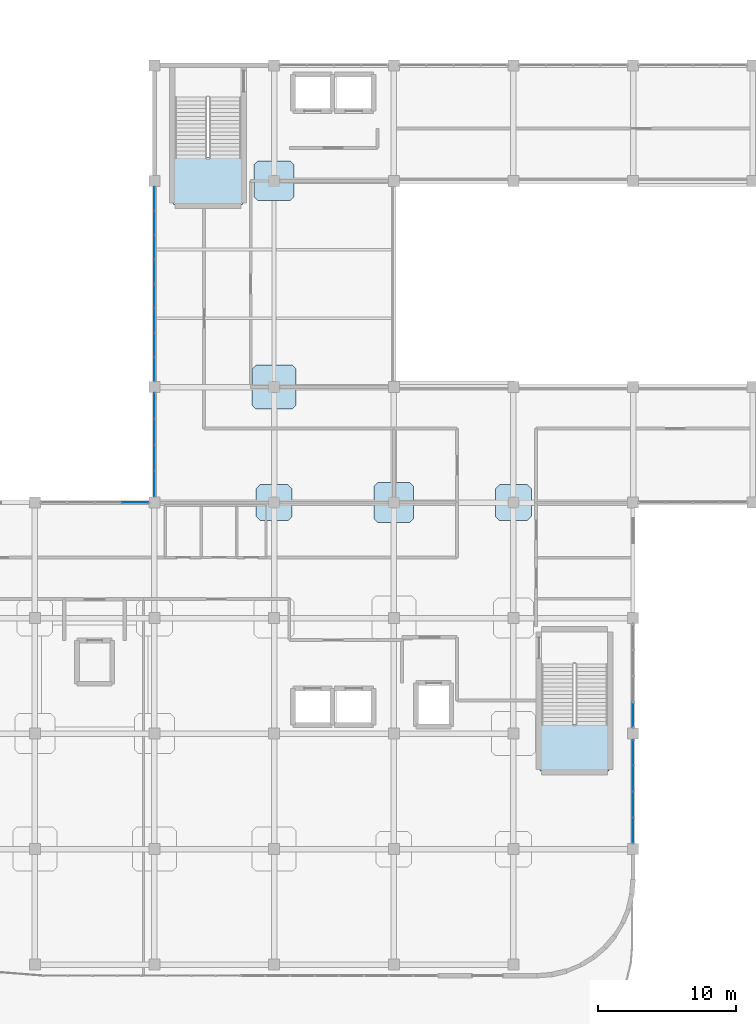
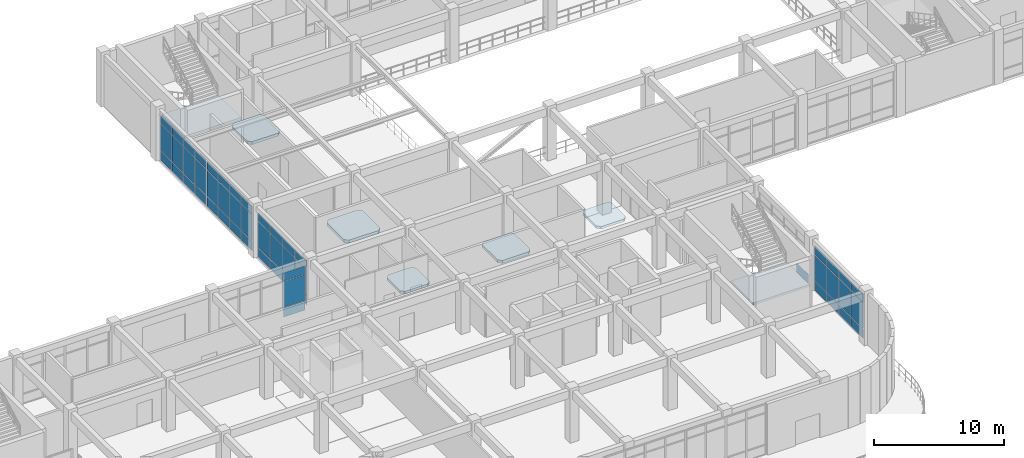
# One storey, part 70 of 96: 52 plates, 7 slabs, 8 elements without a shape of their own.
"""IFC4 building model written with IfcOpenShell, lengths in metres."""

import ifcopenshell
import ifcopenshell.guid

model = None  # the IFC model being written
_history = None  # IfcOwnerHistory: only IFC2X3 demands one
_inside = {}  # id of a spatial element -> (the spatial element, [elements in it])
_under = {}  # id of a project, library or spatial element -> (it, [spatial elements below it])
_declared = {}  # id of a project -> (the project, [libraries it declares])
_typed = {}  # id of a type object -> (the type object, [elements of that type])
_made_of = {}  # id of a material, layer set ... -> (it, [elements and type objects made of it])


def new_model(schema):
    """Start an empty IFC model of exactly this schema.

    Asked for "IFC4X3", IfcOpenShell would pick the latest addendum, in which some entities
    have other attributes; the version numbers below select the first issue.
    IFC2X3 requires an IfcOwnerHistory on every rooted entity: one is made here for all.
    """
    global model, _history
    if schema == "IFC4X3":
        model = ifcopenshell.file(schema_version=(4, 3, 0, 0))
    else:
        model = ifcopenshell.file(schema=schema)
    _inside.clear()
    _under.clear()
    _declared.clear()
    _typed.clear()
    _made_of.clear()
    _history = None
    if model.schema == "IFC2X3":
        org = make("IfcOrganization", Name="unknown")
        user = make(
            "IfcPersonAndOrganization",
            ThePerson=make("IfcPerson", FamilyName="unknown"),
            TheOrganization=org,
        )
        app = make(
            "IfcApplication",
            ApplicationDeveloper=org,
            Version="unknown",
            ApplicationFullName="unknown",
            ApplicationIdentifier="unknown",
        )
        _history = make(
            "IfcOwnerHistory",
            OwningUser=user,
            OwningApplication=app,
            ChangeAction="ADDED",
            CreationDate=0,
        )
    return model


def make(cls, **values):
    """One entity of the class cls with the attributes given. An attribute that is None is left unset."""
    return model.create_entity(
        cls, **{name: value for name, value in values.items() if value is not None}
    )


def rooted(cls, **values):
    """An entity with a GlobalId (a new one), such as an element, a storey or a relation."""
    return make(cls, GlobalId=ifcopenshell.guid.new(), OwnerHistory=_history, **values)


def si_unit(unit_type, name, prefix=None):
    """IfcSIUnit, for example si_unit("LENGTHUNIT", "METRE", prefix="MILLI")."""
    return make("IfcSIUnit", UnitType=unit_type, Prefix=prefix, Name=name)


def derived_unit(unit_type, elements):
    """IfcDerivedUnit: a product of units, each with its exponent."""
    return make(
        "IfcDerivedUnit",
        Elements=[
            make("IfcDerivedUnitElement", Unit=unit, Exponent=power)
            for unit, power in elements
        ],
        UnitType=unit_type,
    )


def assignment(units):
    """IfcUnitAssignment: the units of a project."""
    return None if units is None else make("IfcUnitAssignment", Units=units)


def point(xyz):
    """IfcCartesianPoint."""
    return None if xyz is None else make("IfcCartesianPoint", Coordinates=xyz)


def direction(xyz):
    """IfcDirection."""
    return None if xyz is None else make("IfcDirection", DirectionRatios=xyz)


def frame(location, z_axis=None, x_axis=None):
    """IfcAxis2Placement3D, a coordinate frame: its origin and axes. An axis left out is left unset."""
    return make(
        "IfcAxis2Placement3D",
        Location=point(location),
        Axis=direction(z_axis),
        RefDirection=direction(x_axis),
    )


def frame_2d(location, x_axis=None):
    """IfcAxis2Placement2D, a coordinate frame in the plane: its origin and x axis."""
    return make(
        "IfcAxis2Placement2D", Location=point(location), RefDirection=direction(x_axis)
    )


def origin():
    """The frame at (0, 0, 0) with its axes left unset."""
    return frame((0.0, 0.0, 0.0))


def origin_2d():
    """The frame at (0, 0) in the plane with its x axis left unset."""
    return frame_2d((0.0, 0.0))


def place(relative_to, where):
    """IfcLocalPlacement: puts the frame where relative to a parent placement (None: the world)."""
    return make(
        "IfcLocalPlacement", PlacementRelTo=relative_to, RelativePlacement=where
    )


def context(
    kind, dimensions, precision=None, world=None, true_north=None, identifier=None
):
    """IfcGeometricRepresentationContext, for example the 3D "Model" context."""
    return make(
        "IfcGeometricRepresentationContext",
        ContextIdentifier=identifier,
        ContextType=kind,
        CoordinateSpaceDimension=dimensions,
        Precision=precision,
        WorldCoordinateSystem=world,
        TrueNorth=true_north,
    )


def subcontext(parent, identifier, kind, view, scale=None):
    """IfcGeometricRepresentationSubContext, for example "Body" below "Model"."""
    return make(
        "IfcGeometricRepresentationSubContext",
        ContextIdentifier=identifier,
        ContextType=kind,
        ParentContext=parent,
        TargetScale=scale,
        TargetView=view,
    )


def project(units=None, contexts=None):
    """IfcProject with its units and contexts."""
    return rooted(
        "IfcProject",
        Name="project",
        RepresentationContexts=contexts,
        UnitsInContext=assignment(units),
    )


def spatial(cls, under=None, at=None, **own):
    """A site, building, storey or space (cls), placed at a placement, below another one or the project."""
    s = rooted(cls, ObjectPlacement=at, **own)
    if under is not None:
        _under.setdefault(under.id(), (under, []))[1].append(s)
    return s


def polyline(points):
    """IfcPolyline through the points."""
    return make("IfcPolyline", Points=[point(p) for p in points])


def profile(cls, at=None, kind="AREA", **sizes):
    """A parametric profile (cls). Its sizes go by their IFC names, for example OverallWidth=200.0."""
    return make(cls, ProfileType=kind, Position=at, **sizes)


def rectangle(**sizes):
    """IfcRectangleProfileDef."""
    return profile("IfcRectangleProfileDef", **sizes)


def outline(outer, holes=None, kind="AREA"):
    """IfcArbitraryClosedProfileDef: a profile drawn as a closed curve; with holes, ...WithVoids."""
    if holes is None:
        return make("IfcArbitraryClosedProfileDef", ProfileType=kind, OuterCurve=outer)
    return make(
        "IfcArbitraryProfileDefWithVoids",
        ProfileType=kind,
        OuterCurve=outer,
        InnerCurves=holes,
    )


def extrude(swept, where, along, depth):
    """IfcExtrudedAreaSolid: the profile swept, set in the frame where, extruded along a direction by depth."""
    return make(
        "IfcExtrudedAreaSolid",
        SweptArea=swept,
        Position=where,
        ExtrudedDirection=direction(along),
        Depth=depth,
    )


def shape(context_of_items, identifier, shape_type, items):
    """IfcShapeRepresentation: the items that make up one representation, for example the "Body"."""
    return make(
        "IfcShapeRepresentation",
        ContextOfItems=context_of_items,
        RepresentationIdentifier=identifier,
        RepresentationType=shape_type,
        Items=items,
    )


def material(Name=None, Category=None):
    """IfcMaterial."""
    return make("IfcMaterial", Name=Name, Category=Category)


def layer(
    of_material, thickness, ventilated=None, Name=None, Category=None, Priority=None
):
    """IfcMaterialLayer: one layer of a wall or slab, of a material (None: an air gap)."""
    return make(
        "IfcMaterialLayer",
        Material=of_material,
        LayerThickness=thickness,
        IsVentilated=ventilated,
        Name=Name,
        Category=Category,
        Priority=Priority,
    )


def layer_set(layers, Name=None):
    """IfcMaterialLayerSet."""
    return make("IfcMaterialLayerSet", MaterialLayers=layers, LayerSetName=Name)


def made_of(thing, what):
    """Note that an element or type object is made of a material, layer set ...; save() writes the relation."""
    if what is not None:
        _made_of.setdefault(what.id(), (what, []))[1].append(thing)
    return thing


def type_object(cls, material=None, **own):
    """A type object (cls), such as IfcWallType, which elements share."""
    return made_of(rooted(cls, **own), material)


def element(
    cls,
    number,
    at=None,
    inside=None,
    cuts=None,
    type_object=None,
    material=None,
    context=None,
    identifier="Body",
    shape_type=None,
    held_by="IfcProductDefinitionShape",
    body=None,
    shapes=None,
    **own,
):
    """One element of the class cls, such as IfcWall. Its Tag is "e" and its number.

    at: its placement. inside: the storey or other place that contains it. cuts: it is an
    opening in that element (IfcRelVoidsElement). A single representation is given by context,
    identifier, shape_type and body (its items); several are given by shapes. held_by: the class
    of the entity that holds the representations. save() writes the other relations.
    """
    e = rooted(cls, Tag="e%d" % number, ObjectPlacement=at, **own)
    if body is not None:
        shapes = [shape(context, identifier, shape_type, body)]
    if shapes is not None:
        e.Representation = make(held_by, Representations=shapes)
    if inside is not None:
        _inside.setdefault(inside.id(), (inside, []))[1].append(e)
    if cuts is not None:
        rooted(
            "IfcRelVoidsElement", RelatingBuildingElement=cuts, RelatedOpeningElement=e
        )
    if type_object is not None:
        _typed.setdefault(type_object.id(), (type_object, []))[1].append(e)
    return made_of(e, material)


def aggregate(whole, parts):
    """IfcRelAggregates: a whole, such as a stair, and the parts it consists of."""
    return rooted("IfcRelAggregates", RelatingObject=whole, RelatedObjects=parts)


def save(model, path):
    """Write the relations noted so far, then the file.

    IfcRelAggregates (storeys below a building ...), IfcRelContainedInSpatialStructure (elements
    in a storey), IfcRelDefinesByType, IfcRelAssociatesMaterial and IfcRelDeclares: one each for
    every whole, place, type object, material and project.
    """
    for whole, parts in _under.values():
        aggregate(whole, parts)
    for where, things in _inside.values():
        rooted(
            "IfcRelContainedInSpatialStructure",
            RelatedElements=things,
            RelatingStructure=where,
        )
    for kind, things in _typed.values():
        rooted("IfcRelDefinesByType", RelatedObjects=things, RelatingType=kind)
    for what, things in _made_of.values():
        rooted("IfcRelAssociatesMaterial", RelatedObjects=things, RelatingMaterial=what)
    for by, libraries in _declared.values():
        rooted("IfcRelDeclares", RelatingContext=by, RelatedDefinitions=libraries)
    model.write(path)


model = new_model("IFC4")

# Units and contexts
model_context = context("Model", 3, precision=1e-05, world=origin(), true_north=direction((0.0, 1.0)))
body_context = subcontext(model_context, "Body", "Model", "MODEL_VIEW")
ifc_project = project(units=[si_unit("LENGTHUNIT", "METRE"), si_unit("AREAUNIT", "SQUARE_METRE"), si_unit("VOLUMEUNIT", "CUBIC_METRE"), si_unit("PLANEANGLEUNIT", "RADIAN"), si_unit("MASSUNIT", "GRAM", prefix="KILO"), derived_unit("THERMALTRANSMITTANCEUNIT", [(si_unit("MASSUNIT", "GRAM", prefix="KILO"), 1), (si_unit("TIMEUNIT", "SECOND"), -3), (si_unit("THERMODYNAMICTEMPERATUREUNIT", "KELVIN"), -1)])], contexts=[model_context])

# Site, building, storey
site_placement = place(None, origin())
site = spatial("IfcSite", under=ifc_project, at=site_placement, CompositionType="ELEMENT")
building_placement = place(site_placement, origin())
building = spatial("IfcBuilding", under=site, at=building_placement, Name="Qinzheling Arcade Emporium", CompositionType="ELEMENT")
storey_placement = place(building_placement, frame((0.0, 0.0, 21.60009765625)))
storey = spatial("IfcBuildingStorey", under=building, at=storey_placement, Name="L05", CompositionType="ELEMENT", Elevation=21.60009765625)

# Slabs
ifc_material_1 = material(Name="Concrete C40", Category="concrete")
ifc_layer_1 = layer(ifc_material_1, 0.235107421875, Name="Concrete C40", Category="concrete")
ifc_layer_set_1 = layer_set([ifc_layer_1], Name="Concrete C40")
slab_type_1 = type_object("IfcSlabType", Name="Column Head Drop Panel 2600x2600x235 C40", PredefinedType="USERDEFINED", material=ifc_layer_set_1)
slab_1_placement = place(storey_placement, frame((0.0, 0.0, -0.51513671875)))
element("IfcSlab", 1, at=slab_1_placement, inside=storey, type_object=slab_type_1, Name="Column Drop Panel DP-L05-6-F", ObjectType="DROP_PANEL", PredefinedType="USERDEFINED", context=body_context, shape_type="SweptSolid", body=[
    extrude(outline(polyline([(42.47998046875, 40.699951171875), (44.52001953125, 40.699951171875), (44.800048828125, 40.97998046875), (44.800048828125, 43.02001953125), (44.52001953125, 43.300048828125), (42.47998046875, 43.300048828125), (42.199951171875, 43.02001953125), (42.199951171875, 40.97998046875), (42.47998046875, 40.699951171875)])), origin(), (0.0, 0.0, 1.0), 0.235107421875),
])
slab_2_placement = place(storey_placement, frame((0.0, 0.0, -0.51513671875)))
element("IfcSlab", 2, at=slab_2_placement, inside=storey, type_object=slab_type_1, Name="Column Drop Panel DP-L05-8-F", ObjectType="DROP_PANEL", PredefinedType="USERDEFINED", context=body_context, shape_type="SweptSolid", body=[
    extrude(outline(polyline([(59.8798828125, 40.699951171875), (61.919921875, 40.699951171875), (62.199951171875, 40.97998046875), (62.199951171875, 43.02001953125), (61.919921875, 43.300048828125), (59.8798828125, 43.300048828125), (59.60009765625, 43.02001953125), (59.60009765625, 40.97998046875), (59.8798828125, 40.699951171875)])), origin(), (0.0, 0.0, 1.0), 0.235107421875),
])
ifc_layer_2 = layer(ifc_material_1, 0.27001953125, Name="Concrete C40", Category="concrete")
ifc_layer_set_2 = layer_set([ifc_layer_2], Name="Concrete C40")
slab_type_2 = type_object("IfcSlabType", Name="Column Head Drop Panel 2900x2900x270 C40", PredefinedType="USERDEFINED", material=ifc_layer_set_2)
slab_3_placement = place(storey_placement, frame((0.0, 0.0, -0.550048828125)))
element("IfcSlab", 3, at=slab_3_placement, inside=storey, type_object=slab_type_2, Name="Column Drop Panel DP-L05-6-H", ObjectType="DROP_PANEL", PredefinedType="USERDEFINED", context=body_context, shape_type="SweptSolid", body=[
    extrude(outline(polyline([(42.330078125, 63.949951171875), (44.669921875, 63.949951171875), (44.949951171875, 64.22998046875), (44.949951171875, 66.570068359375), (44.669921875, 66.85009765625), (42.330078125, 66.85009765625), (42.050048828125, 66.570068359375), (42.050048828125, 64.22998046875), (42.330078125, 63.949951171875)])), origin(), (0.0, 0.0, 1.0), 0.27001953125),
])
slab_4_placement = place(storey_placement, frame((0.0, 0.0, -0.550048828125)))
element("IfcSlab", 4, at=slab_4_placement, inside=storey, type_object=slab_type_2, Name="Column Drop Panel DP-L05-7-F", ObjectType="DROP_PANEL", PredefinedType="USERDEFINED", context=body_context, shape_type="SweptSolid", body=[
    extrude(outline(polyline([(51.030029296875, 40.550048828125), (53.3701171875, 40.550048828125), (53.64990234375, 40.830078125), (53.64990234375, 43.169921875), (53.3701171875, 43.449951171875), (51.030029296875, 43.449951171875), (50.75, 43.169921875), (50.75, 40.830078125), (51.030029296875, 40.550048828125)])), origin(), (0.0, 0.0, 1.0), 0.27001953125),
])
ifc_layer_3 = layer(ifc_material_1, 0.300048828125, Name="Concrete C40", Category="concrete")
ifc_layer_set_3 = layer_set([ifc_layer_3], Name="Concrete C40")
slab_type_3 = type_object("IfcSlabType", Name="Column Head Drop Panel 3200x3200x300 C40", PredefinedType="USERDEFINED", material=ifc_layer_set_3)
slab_5_placement = place(storey_placement, frame((0.0, 0.0, -0.580078125)))
element("IfcSlab", 5, at=slab_5_placement, inside=storey, type_object=slab_type_3, Name="Column Drop Panel DP-L05-6-G", ObjectType="DROP_PANEL", PredefinedType="USERDEFINED", context=body_context, shape_type="SweptSolid", body=[
    extrude(outline(polyline([(42.179931640625, 48.800048828125), (44.820068359375, 48.800048828125), (45.10009765625, 49.080078125), (45.10009765625, 51.719970703125), (44.820068359375, 52.0), (42.179931640625, 52.0), (41.89990234375, 51.719970703125), (41.89990234375, 49.080078125), (42.179931640625, 48.800048828125)])), origin(), (0.0, 0.0, 1.0), 0.300048828125),
])

# Curtain wall, plates
ifc_material_2 = material(Name="Anodised aluminium and solar-control double glazing", Category="aluminium")
ifc_layer_4 = layer(ifc_material_2, 0.159912109375, Name="Anodised aluminium and solar-control double glazing", Category="aluminium")
ifc_layer_set_4 = layer_set([ifc_layer_4], Name="Anodised aluminium and solar-control double glazing")
curtain_wall_type_1 = type_object("IfcCurtainWallType", Name="Atrium Clerestory Curtain Wall", PredefinedType="NOTDEFINED", material=ifc_layer_set_4)
curtain_wall_1_placement = place(storey_placement, origin())
curtain_wall_1 = element("IfcCurtainWall", 6, at=curtain_wall_1_placement, inside=storey, type_object=curtain_wall_type_1, Name="Curtain Wall CW-L05-316", PredefinedType="NOTDEFINED")
ifc_material_3 = material(Name="Laminated solar-control double glazing", Category="glass")
ifc_layer_5 = layer(ifc_material_3, 0.02099609375, Name="Laminated solar-control double glazing", Category="glass")
ifc_layer_set_5 = layer_set([ifc_layer_5], Name="Laminated solar-control double glazing")
plate_type_1 = type_object("IfcPlateType", Name="Low-E Double Glazed Curtain Panel 21mm", PredefinedType="CURTAIN_PANEL", material=ifc_layer_set_5)
plate_1_placement = place(storey_placement, frame((34.800048828125, 43.366455078125, 0.06005859375), z_axis=(0.0, 0.0, 1.0), x_axis=(0.0, 1.0, 0.0)))
plate_1 = element("IfcPlate", 7, at=plate_1_placement, type_object=plate_type_1, Name="CW03 panel 1.1", PredefinedType="CURTAIN_PANEL", context=body_context, shape_type="SweptSolid", body=[
    extrude(rectangle(XDim=1.80908203125, YDim=0.02099609375, at=origin_2d()), origin(), (0.0, 0.0, 1.0), 0.860107421875),
])
plate_2_placement = place(storey_placement, frame((34.800048828125, 43.366455078125, 0.97998046875), z_axis=(0.0, 0.0, 1.0), x_axis=(0.0, 1.0, 0.0)))
plate_2 = element("IfcPlate", 8, at=plate_2_placement, type_object=plate_type_1, Name="CW03 panel 1.2", PredefinedType="CURTAIN_PANEL", context=body_context, shape_type="SweptSolid", body=[
    extrude(rectangle(XDim=1.80908203125, YDim=0.02099609375, at=origin_2d()), origin(), (0.0, 0.0, 1.0), 2.39501953125),
])
plate_3_placement = place(storey_placement, frame((34.800048828125, 43.366455078125, 3.43505859375), z_axis=(0.0, 0.0, 1.0), x_axis=(0.0, 1.0, 0.0)))
plate_3 = element("IfcPlate", 9, at=plate_3_placement, type_object=plate_type_1, Name="CW03 panel 1.3", PredefinedType="CURTAIN_PANEL", context=body_context, shape_type="SweptSolid", body=[
    extrude(rectangle(XDim=1.80908203125, YDim=0.02099609375, at=origin_2d()), origin(), (0.0, 0.0, 1.0), 0.760009765625),
])
plate_4_placement = place(storey_placement, frame((34.800048828125, 45.25048828125, 0.06005859375), z_axis=(0.0, 0.0, 1.0), x_axis=(0.0, 1.0, 0.0)))
plate_4 = element("IfcPlate", 10, at=plate_4_placement, type_object=plate_type_1, Name="CW03 panel 2.1", PredefinedType="CURTAIN_PANEL", context=body_context, shape_type="SweptSolid", body=[
    extrude(rectangle(XDim=1.839111328125, YDim=0.02099609375, at=origin_2d()), origin(), (0.0, 0.0, 1.0), 0.860107421875),
])
plate_5_placement = place(storey_placement, frame((34.800048828125, 45.25048828125, 0.97998046875), z_axis=(0.0, 0.0, 1.0), x_axis=(0.0, 1.0, 0.0)))
plate_5 = element("IfcPlate", 11, at=plate_5_placement, type_object=plate_type_1, Name="CW03 panel 2.2", PredefinedType="CURTAIN_PANEL", context=body_context, shape_type="SweptSolid", body=[
    extrude(rectangle(XDim=1.839111328125, YDim=0.02099609375, at=origin_2d()), origin(), (0.0, 0.0, 1.0), 2.39501953125),
])
plate_6_placement = place(storey_placement, frame((34.800048828125, 45.25048828125, 3.43505859375), z_axis=(0.0, 0.0, 1.0), x_axis=(0.0, 1.0, 0.0)))
plate_6 = element("IfcPlate", 12, at=plate_6_placement, type_object=plate_type_1, Name="CW03 panel 2.3", PredefinedType="CURTAIN_PANEL", context=body_context, shape_type="SweptSolid", body=[
    extrude(rectangle(XDim=1.839111328125, YDim=0.02099609375, at=origin_2d()), origin(), (0.0, 0.0, 1.0), 0.760009765625),
])
plate_7_placement = place(storey_placement, frame((34.800048828125, 47.1494140625, 0.06005859375), z_axis=(0.0, 0.0, 1.0), x_axis=(0.0, 1.0, 0.0)))
plate_7 = element("IfcPlate", 13, at=plate_7_placement, type_object=plate_type_1, Name="CW03 panel 3.1", PredefinedType="CURTAIN_PANEL", context=body_context, shape_type="SweptSolid", body=[
    extrude(rectangle(XDim=1.839111328125, YDim=0.02099609375, at=origin_2d()), origin(), (0.0, 0.0, 1.0), 0.860107421875),
])
plate_8_placement = place(storey_placement, frame((34.800048828125, 47.1494140625, 0.97998046875), z_axis=(0.0, 0.0, 1.0), x_axis=(0.0, 1.0, 0.0)))
plate_8 = element("IfcPlate", 14, at=plate_8_placement, type_object=plate_type_1, Name="CW03 panel 3.2", PredefinedType="CURTAIN_PANEL", context=body_context, shape_type="SweptSolid", body=[
    extrude(rectangle(XDim=1.839111328125, YDim=0.02099609375, at=origin_2d()), origin(), (0.0, 0.0, 1.0), 2.39501953125),
])
plate_9_placement = place(storey_placement, frame((34.800048828125, 47.1494140625, 3.43505859375), z_axis=(0.0, 0.0, 1.0), x_axis=(0.0, 1.0, 0.0)))
plate_9 = element("IfcPlate", 15, at=plate_9_placement, type_object=plate_type_1, Name="CW03 panel 3.3", PredefinedType="CURTAIN_PANEL", context=body_context, shape_type="SweptSolid", body=[
    extrude(rectangle(XDim=1.839111328125, YDim=0.02099609375, at=origin_2d()), origin(), (0.0, 0.0, 1.0), 0.760009765625),
])
plate_10_placement = place(storey_placement, frame((34.800048828125, 49.033447265625, 0.06005859375), z_axis=(0.0, 0.0, 1.0), x_axis=(0.0, 1.0, 0.0)))
plate_10 = element("IfcPlate", 16, at=plate_10_placement, type_object=plate_type_1, Name="CW03 panel 4.1", PredefinedType="CURTAIN_PANEL", context=body_context, shape_type="SweptSolid", body=[
    extrude(rectangle(XDim=1.80908203125, YDim=0.02099609375, at=origin_2d()), origin(), (0.0, 0.0, 1.0), 0.860107421875),
])
plate_11_placement = place(storey_placement, frame((34.800048828125, 49.033447265625, 0.97998046875), z_axis=(0.0, 0.0, 1.0), x_axis=(0.0, 1.0, 0.0)))
plate_11 = element("IfcPlate", 17, at=plate_11_placement, type_object=plate_type_1, Name="CW03 panel 4.2", PredefinedType="CURTAIN_PANEL", context=body_context, shape_type="SweptSolid", body=[
    extrude(rectangle(XDim=1.80908203125, YDim=0.02099609375, at=origin_2d()), origin(), (0.0, 0.0, 1.0), 2.39501953125),
])
plate_12_placement = place(storey_placement, frame((34.800048828125, 49.033447265625, 3.43505859375), z_axis=(0.0, 0.0, 1.0), x_axis=(0.0, 1.0, 0.0)))
plate_12 = element("IfcPlate", 18, at=plate_12_placement, type_object=plate_type_1, Name="CW03 panel 4.3", PredefinedType="CURTAIN_PANEL", context=body_context, shape_type="SweptSolid", body=[
    extrude(rectangle(XDim=1.80908203125, YDim=0.02099609375, at=origin_2d()), origin(), (0.0, 0.0, 1.0), 0.760009765625),
])
aggregate(curtain_wall_1, [plate_1, plate_2, plate_3, plate_4, plate_5, plate_6, plate_7, plate_8, plate_9, plate_10, plate_11, plate_12])

curtain_wall_2_placement = place(storey_placement, origin())
curtain_wall_2 = element("IfcCurtainWall", 19, at=curtain_wall_2_placement, inside=storey, type_object=curtain_wall_type_1, Name="Curtain Wall CW-L05-317", PredefinedType="NOTDEFINED")
ifc_layer_6 = layer(ifc_material_3, 0.02197265625, Name="Laminated solar-control double glazing", Category="glass")
ifc_layer_set_6 = layer_set([ifc_layer_6], Name="Laminated solar-control double glazing")
plate_type_2 = type_object("IfcPlateType", Name="Low-E Double Glazed Curtain Panel 22mm", PredefinedType="CURTAIN_PANEL", material=ifc_layer_set_6)
plate_13_placement = place(storey_placement, frame((34.800048828125, 51.7041015625, 0.06005859375), z_axis=(0.0, 0.0, 1.0), x_axis=(0.0, 1.0, 0.0)))
plate_13 = element("IfcPlate", 20, at=plate_13_placement, type_object=plate_type_2, Name="CW03 panel 1.1", PredefinedType="CURTAIN_PANEL", context=body_context, shape_type="SweptSolid", body=[
    extrude(rectangle(XDim=1.68408203125, YDim=0.02197265625, at=origin_2d()), origin(), (0.0, 0.0, 1.0), 0.860107421875),
])
plate_14_placement = place(storey_placement, frame((34.800048828125, 51.7041015625, 0.97998046875), z_axis=(0.0, 0.0, 1.0), x_axis=(0.0, 1.0, 0.0)))
plate_14 = element("IfcPlate", 21, at=plate_14_placement, type_object=plate_type_2, Name="CW03 panel 1.2", PredefinedType="CURTAIN_PANEL", context=body_context, shape_type="SweptSolid", body=[
    extrude(rectangle(XDim=1.68408203125, YDim=0.02197265625, at=origin_2d()), origin(), (0.0, 0.0, 1.0), 2.45703125),
])
plate_15_placement = place(storey_placement, frame((34.800048828125, 51.7041015625, 3.4970703125), z_axis=(0.0, 0.0, 1.0), x_axis=(0.0, 1.0, 0.0)))
plate_15 = element("IfcPlate", 22, at=plate_15_placement, type_object=plate_type_2, Name="CW03 panel 1.3", PredefinedType="CURTAIN_PANEL", context=body_context, shape_type="SweptSolid", body=[
    extrude(rectangle(XDim=1.68408203125, YDim=0.02197265625, at=origin_2d()), origin(), (0.0, 0.0, 1.0), 0.760009765625),
])
plate_16_placement = place(storey_placement, frame((34.800048828125, 53.462890625, 0.06005859375), z_axis=(0.0, 0.0, 1.0), x_axis=(0.0, 1.0, 0.0)))
plate_16 = element("IfcPlate", 23, at=plate_16_placement, type_object=plate_type_2, Name="CW03 panel 2.1", PredefinedType="CURTAIN_PANEL", context=body_context, shape_type="SweptSolid", body=[
    extrude(rectangle(XDim=1.714111328125, YDim=0.02197265625, at=origin_2d()), origin(), (0.0, 0.0, 1.0), 0.860107421875),
])
plate_17_placement = place(storey_placement, frame((34.800048828125, 53.462890625, 0.97998046875), z_axis=(0.0, 0.0, 1.0), x_axis=(0.0, 1.0, 0.0)))
plate_17 = element("IfcPlate", 24, at=plate_17_placement, type_object=plate_type_2, Name="CW03 panel 2.2", PredefinedType="CURTAIN_PANEL", context=body_context, shape_type="SweptSolid", body=[
    extrude(rectangle(XDim=1.714111328125, YDim=0.02197265625, at=origin_2d()), origin(), (0.0, 0.0, 1.0), 2.45703125),
])
plate_18_placement = place(storey_placement, frame((34.800048828125, 53.462890625, 3.4970703125), z_axis=(0.0, 0.0, 1.0), x_axis=(0.0, 1.0, 0.0)))
plate_18 = element("IfcPlate", 25, at=plate_18_placement, type_object=plate_type_2, Name="CW03 panel 2.3", PredefinedType="CURTAIN_PANEL", context=body_context, shape_type="SweptSolid", body=[
    extrude(rectangle(XDim=1.714111328125, YDim=0.02197265625, at=origin_2d()), origin(), (0.0, 0.0, 1.0), 0.760009765625),
])
plate_19_placement = place(storey_placement, frame((34.800048828125, 55.237060546875, 0.06005859375), z_axis=(0.0, 0.0, 1.0), x_axis=(0.0, 1.0, 0.0)))
plate_19 = element("IfcPlate", 26, at=plate_19_placement, type_object=plate_type_2, Name="CW03 panel 3.1", PredefinedType="CURTAIN_PANEL", context=body_context, shape_type="SweptSolid", body=[
    extrude(rectangle(XDim=1.714111328125, YDim=0.02197265625, at=origin_2d()), origin(), (0.0, 0.0, 1.0), 0.860107421875),
])
plate_20_placement = place(storey_placement, frame((34.800048828125, 55.237060546875, 0.97998046875), z_axis=(0.0, 0.0, 1.0), x_axis=(0.0, 1.0, 0.0)))
plate_20 = element("IfcPlate", 27, at=plate_20_placement, type_object=plate_type_2, Name="CW03 panel 3.2", PredefinedType="CURTAIN_PANEL", context=body_context, shape_type="SweptSolid", body=[
    extrude(rectangle(XDim=1.714111328125, YDim=0.02197265625, at=origin_2d()), origin(), (0.0, 0.0, 1.0), 2.45703125),
])
plate_21_placement = place(storey_placement, frame((34.800048828125, 55.237060546875, 3.4970703125), z_axis=(0.0, 0.0, 1.0), x_axis=(0.0, 1.0, 0.0)))
plate_21 = element("IfcPlate", 28, at=plate_21_placement, type_object=plate_type_2, Name="CW03 panel 3.3", PredefinedType="CURTAIN_PANEL", context=body_context, shape_type="SweptSolid", body=[
    extrude(rectangle(XDim=1.714111328125, YDim=0.02197265625, at=origin_2d()), origin(), (0.0, 0.0, 1.0), 0.760009765625),
])
plate_22_placement = place(storey_placement, frame((34.800048828125, 56.99609375, 0.06005859375), z_axis=(0.0, 0.0, 1.0), x_axis=(0.0, 1.0, 0.0)))
plate_22 = element("IfcPlate", 29, at=plate_22_placement, type_object=plate_type_2, Name="CW03 panel 4.1", PredefinedType="CURTAIN_PANEL", context=body_context, shape_type="SweptSolid", body=[
    extrude(rectangle(XDim=1.68408203125, YDim=0.02197265625, at=origin_2d()), origin(), (0.0, 0.0, 1.0), 0.860107421875),
])
plate_23_placement = place(storey_placement, frame((34.800048828125, 56.99609375, 0.97998046875), z_axis=(0.0, 0.0, 1.0), x_axis=(0.0, 1.0, 0.0)))
plate_23 = element("IfcPlate", 30, at=plate_23_placement, type_object=plate_type_2, Name="CW03 panel 4.2", PredefinedType="CURTAIN_PANEL", context=body_context, shape_type="SweptSolid", body=[
    extrude(rectangle(XDim=1.68408203125, YDim=0.02197265625, at=origin_2d()), origin(), (0.0, 0.0, 1.0), 2.45703125),
])
plate_24_placement = place(storey_placement, frame((34.800048828125, 56.99609375, 3.4970703125), z_axis=(0.0, 0.0, 1.0), x_axis=(0.0, 1.0, 0.0)))
plate_24 = element("IfcPlate", 31, at=plate_24_placement, type_object=plate_type_2, Name="CW03 panel 4.3", PredefinedType="CURTAIN_PANEL", context=body_context, shape_type="SweptSolid", body=[
    extrude(rectangle(XDim=1.68408203125, YDim=0.02197265625, at=origin_2d()), origin(), (0.0, 0.0, 1.0), 0.760009765625),
])
aggregate(curtain_wall_2, [plate_13, plate_14, plate_15, plate_16, plate_17, plate_18, plate_19, plate_20, plate_21, plate_22, plate_23, plate_24])

# Curtain wall, plate
ifc_layer_7 = layer(ifc_material_2, 0.159912109375, Name="Anodised aluminium and solar-control double glazing", Category="aluminium")
ifc_layer_set_7 = layer_set([ifc_layer_7], Name="Anodised aluminium and solar-control double glazing")
curtain_wall_type_2 = type_object("IfcCurtainWallType", Name="Arcade Portal Glazed Curtain Wall", PredefinedType="NOTDEFINED", material=ifc_layer_set_7)
curtain_wall_3_placement = place(storey_placement, origin())
curtain_wall_3 = element("IfcCurtainWall", 32, at=curtain_wall_3_placement, inside=storey, type_object=curtain_wall_type_2, Name="Curtain Wall CW-L05-333", PredefinedType="NOTDEFINED")
plate_25_placement = place(storey_placement, frame((69.60009765625, 26.56640625, 0.06005859375), z_axis=(0.0, 0.0, 1.0), x_axis=(0.0, -1.0, 0.0)))
plate_25 = element("IfcPlate", 33, at=plate_25_placement, type_object=plate_type_2, Name="CW05 panel 4.1", PredefinedType="CURTAIN_PANEL", context=body_context, shape_type="SweptSolid", body=[
    extrude(rectangle(XDim=1.80908203125, YDim=0.02197265625, at=origin_2d()), origin(), (0.0, 0.0, 1.0), 0.860107421875),
])
aggregate(curtain_wall_3, [plate_25])

# Curtain wall, plates
curtain_wall_4_placement = place(storey_placement, origin())
curtain_wall_4 = element("IfcCurtainWall", 34, at=curtain_wall_4_placement, inside=storey, type_object=curtain_wall_type_1, Name="Curtain Wall CW-L05-318", PredefinedType="NOTDEFINED")
ifc_layer_8 = layer(ifc_material_3, 0.02392578125, Name="Laminated solar-control double glazing", Category="glass")
ifc_layer_set_8 = layer_set([ifc_layer_8], Name="Laminated solar-control double glazing")
plate_type_3 = type_object("IfcPlateType", Name="Low-E Double Glazed Curtain Panel 24mm", PredefinedType="CURTAIN_PANEL", material=ifc_layer_set_8)
plate_26_placement = place(storey_placement, frame((34.800048828125, 58.803955078125, 0.06005859375), z_axis=(0.0, 0.0, 1.0), x_axis=(0.0, 1.0, 0.0)))
plate_26 = element("IfcPlate", 35, at=plate_26_placement, type_object=plate_type_3, Name="CW03 panel 1.1", PredefinedType="CURTAIN_PANEL", context=body_context, shape_type="SweptSolid", body=[
    extrude(rectangle(XDim=1.68408203125, YDim=0.02392578125, at=origin_2d()), origin(), (0.0, 0.0, 1.0), 0.860107421875),
])
plate_27_placement = place(storey_placement, frame((34.800048828125, 58.803955078125, 0.97998046875), z_axis=(0.0, 0.0, 1.0), x_axis=(0.0, 1.0, 0.0)))
plate_27 = element("IfcPlate", 36, at=plate_27_placement, type_object=plate_type_3, Name="CW03 panel 1.2", PredefinedType="CURTAIN_PANEL", context=body_context, shape_type="SweptSolid", body=[
    extrude(rectangle(XDim=1.68408203125, YDim=0.02392578125, at=origin_2d()), origin(), (0.0, 0.0, 1.0), 2.45703125),
])
plate_28_placement = place(storey_placement, frame((34.800048828125, 58.803955078125, 3.4970703125), z_axis=(0.0, 0.0, 1.0), x_axis=(0.0, 1.0, 0.0)))
plate_28 = element("IfcPlate", 37, at=plate_28_placement, type_object=plate_type_3, Name="CW03 panel 1.3", PredefinedType="CURTAIN_PANEL", context=body_context, shape_type="SweptSolid", body=[
    extrude(rectangle(XDim=1.68408203125, YDim=0.02392578125, at=origin_2d()), origin(), (0.0, 0.0, 1.0), 0.760009765625),
])
plate_29_placement = place(storey_placement, frame((34.800048828125, 60.56298828125, 0.06005859375), z_axis=(0.0, 0.0, 1.0), x_axis=(0.0, 1.0, 0.0)))
plate_29 = element("IfcPlate", 38, at=plate_29_placement, type_object=plate_type_3, Name="CW03 panel 2.1", PredefinedType="CURTAIN_PANEL", context=body_context, shape_type="SweptSolid", body=[
    extrude(rectangle(XDim=1.714111328125, YDim=0.02392578125, at=origin_2d()), origin(), (0.0, 0.0, 1.0), 0.860107421875),
])
plate_30_placement = place(storey_placement, frame((34.800048828125, 60.56298828125, 0.97998046875), z_axis=(0.0, 0.0, 1.0), x_axis=(0.0, 1.0, 0.0)))
plate_30 = element("IfcPlate", 39, at=plate_30_placement, type_object=plate_type_3, Name="CW03 panel 2.2", PredefinedType="CURTAIN_PANEL", context=body_context, shape_type="SweptSolid", body=[
    extrude(rectangle(XDim=1.714111328125, YDim=0.02392578125, at=origin_2d()), origin(), (0.0, 0.0, 1.0), 2.45703125),
])
plate_31_placement = place(storey_placement, frame((34.800048828125, 60.56298828125, 3.4970703125), z_axis=(0.0, 0.0, 1.0), x_axis=(0.0, 1.0, 0.0)))
plate_31 = element("IfcPlate", 40, at=plate_31_placement, type_object=plate_type_3, Name="CW03 panel 2.3", PredefinedType="CURTAIN_PANEL", context=body_context, shape_type="SweptSolid", body=[
    extrude(rectangle(XDim=1.714111328125, YDim=0.02392578125, at=origin_2d()), origin(), (0.0, 0.0, 1.0), 0.760009765625),
])
plate_32_placement = place(storey_placement, frame((34.800048828125, 62.3369140625, 0.06005859375), z_axis=(0.0, 0.0, 1.0), x_axis=(0.0, 1.0, 0.0)))
plate_32 = element("IfcPlate", 41, at=plate_32_placement, type_object=plate_type_3, Name="CW03 panel 3.1", PredefinedType="CURTAIN_PANEL", context=body_context, shape_type="SweptSolid", body=[
    extrude(rectangle(XDim=1.714111328125, YDim=0.02392578125, at=origin_2d()), origin(), (0.0, 0.0, 1.0), 0.860107421875),
])
plate_33_placement = place(storey_placement, frame((34.800048828125, 62.3369140625, 0.97998046875), z_axis=(0.0, 0.0, 1.0), x_axis=(0.0, 1.0, 0.0)))
plate_33 = element("IfcPlate", 42, at=plate_33_placement, type_object=plate_type_3, Name="CW03 panel 3.2", PredefinedType="CURTAIN_PANEL", context=body_context, shape_type="SweptSolid", body=[
    extrude(rectangle(XDim=1.714111328125, YDim=0.02392578125, at=origin_2d()), origin(), (0.0, 0.0, 1.0), 2.45703125),
])
plate_34_placement = place(storey_placement, frame((34.800048828125, 62.3369140625, 3.4970703125), z_axis=(0.0, 0.0, 1.0), x_axis=(0.0, 1.0, 0.0)))
plate_34 = element("IfcPlate", 43, at=plate_34_placement, type_object=plate_type_3, Name="CW03 panel 3.3", PredefinedType="CURTAIN_PANEL", context=body_context, shape_type="SweptSolid", body=[
    extrude(rectangle(XDim=1.714111328125, YDim=0.02392578125, at=origin_2d()), origin(), (0.0, 0.0, 1.0), 0.760009765625),
])
plate_35_placement = place(storey_placement, frame((34.800048828125, 64.095947265625, 0.06005859375), z_axis=(0.0, 0.0, 1.0), x_axis=(0.0, 1.0, 0.0)))
plate_35 = element("IfcPlate", 44, at=plate_35_placement, type_object=plate_type_3, Name="CW03 panel 4.1", PredefinedType="CURTAIN_PANEL", context=body_context, shape_type="SweptSolid", body=[
    extrude(rectangle(XDim=1.68408203125, YDim=0.02392578125, at=origin_2d()), origin(), (0.0, 0.0, 1.0), 0.860107421875),
])
plate_36_placement = place(storey_placement, frame((34.800048828125, 64.095947265625, 0.97998046875), z_axis=(0.0, 0.0, 1.0), x_axis=(0.0, 1.0, 0.0)))
plate_36 = element("IfcPlate", 45, at=plate_36_placement, type_object=plate_type_3, Name="CW03 panel 4.2", PredefinedType="CURTAIN_PANEL", context=body_context, shape_type="SweptSolid", body=[
    extrude(rectangle(XDim=1.68408203125, YDim=0.02392578125, at=origin_2d()), origin(), (0.0, 0.0, 1.0), 2.45703125),
])
plate_37_placement = place(storey_placement, frame((34.800048828125, 64.095947265625, 3.4970703125), z_axis=(0.0, 0.0, 1.0), x_axis=(0.0, 1.0, 0.0)))
plate_37 = element("IfcPlate", 46, at=plate_37_placement, type_object=plate_type_3, Name="CW03 panel 4.3", PredefinedType="CURTAIN_PANEL", context=body_context, shape_type="SweptSolid", body=[
    extrude(rectangle(XDim=1.68408203125, YDim=0.02392578125, at=origin_2d()), origin(), (0.0, 0.0, 1.0), 0.760009765625),
])
aggregate(curtain_wall_4, [plate_26, plate_27, plate_28, plate_29, plate_30, plate_31, plate_32, plate_33, plate_34, plate_35, plate_36, plate_37])

curtain_wall_5_placement = place(storey_placement, origin())
curtain_wall_5 = element("IfcCurtainWall", 47, at=curtain_wall_5_placement, inside=storey, type_object=curtain_wall_type_2, Name="Curtain Wall CW-L05-334", PredefinedType="NOTDEFINED")
plate_38_placement = place(storey_placement, frame((69.60009765625, 23.83349609375, 0.06005859375), z_axis=(0.0, 0.0, 1.0), x_axis=(0.0, -1.0, 0.0)))
plate_38 = element("IfcPlate", 48, at=plate_38_placement, type_object=plate_type_3, Name="CW05 panel 1.1", PredefinedType="CURTAIN_PANEL", context=body_context, shape_type="SweptSolid", body=[
    extrude(rectangle(XDim=1.80908203125, YDim=0.02392578125, at=origin_2d()), origin(), (0.0, 0.0, 1.0), 0.860107421875),
])
plate_39_placement = place(storey_placement, frame((69.60009765625, 23.83349609375, 0.97998046875), z_axis=(0.0, 0.0, 1.0), x_axis=(0.0, -1.0, 0.0)))
plate_39 = element("IfcPlate", 49, at=plate_39_placement, type_object=plate_type_3, Name="CW05 panel 1.2", PredefinedType="CURTAIN_PANEL", context=body_context, shape_type="SweptSolid", body=[
    extrude(rectangle(XDim=1.80908203125, YDim=0.02392578125, at=origin_2d()), origin(), (0.0, 0.0, 1.0), 2.39501953125),
])
plate_40_placement = place(storey_placement, frame((69.60009765625, 23.83349609375, 3.43505859375), z_axis=(0.0, 0.0, 1.0), x_axis=(0.0, -1.0, 0.0)))
plate_40 = element("IfcPlate", 50, at=plate_40_placement, type_object=plate_type_3, Name="CW05 panel 1.3", PredefinedType="CURTAIN_PANEL", context=body_context, shape_type="SweptSolid", body=[
    extrude(rectangle(XDim=1.80908203125, YDim=0.02392578125, at=origin_2d()), origin(), (0.0, 0.0, 1.0), 0.760009765625),
])
plate_41_placement = place(storey_placement, frame((69.60009765625, 21.949462890625, 0.06005859375), z_axis=(0.0, 0.0, 1.0), x_axis=(0.0, -1.0, 0.0)))
plate_41 = element("IfcPlate", 51, at=plate_41_placement, type_object=plate_type_3, Name="CW05 panel 2.1", PredefinedType="CURTAIN_PANEL", context=body_context, shape_type="SweptSolid", body=[
    extrude(rectangle(XDim=1.839111328125, YDim=0.02392578125, at=origin_2d()), origin(), (0.0, 0.0, 1.0), 0.860107421875),
])
plate_42_placement = place(storey_placement, frame((69.60009765625, 21.949462890625, 0.97998046875), z_axis=(0.0, 0.0, 1.0), x_axis=(0.0, -1.0, 0.0)))
plate_42 = element("IfcPlate", 52, at=plate_42_placement, type_object=plate_type_3, Name="CW05 panel 2.2", PredefinedType="CURTAIN_PANEL", context=body_context, shape_type="SweptSolid", body=[
    extrude(rectangle(XDim=1.839111328125, YDim=0.02392578125, at=origin_2d()), origin(), (0.0, 0.0, 1.0), 2.39501953125),
])
plate_43_placement = place(storey_placement, frame((69.60009765625, 21.949462890625, 3.43505859375), z_axis=(0.0, 0.0, 1.0), x_axis=(0.0, -1.0, 0.0)))
plate_43 = element("IfcPlate", 53, at=plate_43_placement, type_object=plate_type_3, Name="CW05 panel 2.3", PredefinedType="CURTAIN_PANEL", context=body_context, shape_type="SweptSolid", body=[
    extrude(rectangle(XDim=1.839111328125, YDim=0.02392578125, at=origin_2d()), origin(), (0.0, 0.0, 1.0), 0.760009765625),
])
plate_44_placement = place(storey_placement, frame((69.60009765625, 20.050537109375, 0.06005859375), z_axis=(0.0, 0.0, 1.0), x_axis=(0.0, -1.0, 0.0)))
plate_44 = element("IfcPlate", 54, at=plate_44_placement, type_object=plate_type_3, Name="CW05 panel 3.1", PredefinedType="CURTAIN_PANEL", context=body_context, shape_type="SweptSolid", body=[
    extrude(rectangle(XDim=1.839111328125, YDim=0.02392578125, at=origin_2d()), origin(), (0.0, 0.0, 1.0), 0.860107421875),
])
plate_45_placement = place(storey_placement, frame((69.60009765625, 20.050537109375, 0.97998046875), z_axis=(0.0, 0.0, 1.0), x_axis=(0.0, -1.0, 0.0)))
plate_45 = element("IfcPlate", 55, at=plate_45_placement, type_object=plate_type_3, Name="CW05 panel 3.2", PredefinedType="CURTAIN_PANEL", context=body_context, shape_type="SweptSolid", body=[
    extrude(rectangle(XDim=1.839111328125, YDim=0.02392578125, at=origin_2d()), origin(), (0.0, 0.0, 1.0), 2.39501953125),
])
plate_46_placement = place(storey_placement, frame((69.60009765625, 20.050537109375, 3.43505859375), z_axis=(0.0, 0.0, 1.0), x_axis=(0.0, -1.0, 0.0)))
plate_46 = element("IfcPlate", 56, at=plate_46_placement, type_object=plate_type_3, Name="CW05 panel 3.3", PredefinedType="CURTAIN_PANEL", context=body_context, shape_type="SweptSolid", body=[
    extrude(rectangle(XDim=1.839111328125, YDim=0.02392578125, at=origin_2d()), origin(), (0.0, 0.0, 1.0), 0.760009765625),
])
plate_47_placement = place(storey_placement, frame((69.60009765625, 18.16650390625, 0.06005859375), z_axis=(0.0, 0.0, 1.0), x_axis=(0.0, -1.0, 0.0)))
plate_47 = element("IfcPlate", 57, at=plate_47_placement, type_object=plate_type_3, Name="CW05 panel 4.1", PredefinedType="CURTAIN_PANEL", context=body_context, shape_type="SweptSolid", body=[
    extrude(rectangle(XDim=1.80908203125, YDim=0.02392578125, at=origin_2d()), origin(), (0.0, 0.0, 1.0), 0.860107421875),
])
plate_48_placement = place(storey_placement, frame((69.60009765625, 18.16650390625, 0.97998046875), z_axis=(0.0, 0.0, 1.0), x_axis=(0.0, -1.0, 0.0)))
plate_48 = element("IfcPlate", 58, at=plate_48_placement, type_object=plate_type_3, Name="CW05 panel 4.2", PredefinedType="CURTAIN_PANEL", context=body_context, shape_type="SweptSolid", body=[
    extrude(rectangle(XDim=1.80908203125, YDim=0.02392578125, at=origin_2d()), origin(), (0.0, 0.0, 1.0), 2.39501953125),
])
plate_49_placement = place(storey_placement, frame((69.60009765625, 18.16650390625, 3.43505859375), z_axis=(0.0, 0.0, 1.0), x_axis=(0.0, -1.0, 0.0)))
plate_49 = element("IfcPlate", 59, at=plate_49_placement, type_object=plate_type_3, Name="CW05 panel 4.3", PredefinedType="CURTAIN_PANEL", context=body_context, shape_type="SweptSolid", body=[
    extrude(rectangle(XDim=1.80908203125, YDim=0.02392578125, at=origin_2d()), origin(), (0.0, 0.0, 1.0), 0.760009765625),
])
aggregate(curtain_wall_5, [plate_38, plate_39, plate_40, plate_41, plate_42, plate_43, plate_44, plate_45, plate_46, plate_47, plate_48, plate_49])

curtain_wall_6_placement = place(storey_placement, origin())
curtain_wall_6 = element("IfcCurtainWall", 60, at=curtain_wall_6_placement, inside=storey, type_object=curtain_wall_type_1, Name="Curtain Wall CW-L05-315", PredefinedType="NOTDEFINED")
ifc_layer_9 = layer(ifc_material_3, 0.0419921875, Name="Laminated solar-control double glazing", Category="glass")
ifc_layer_set_9 = layer_set([ifc_layer_9], Name="Laminated solar-control double glazing")
plate_type_4 = type_object("IfcPlateType", Name="Low-E Double Glazed Curtain Panel 42mm", PredefinedType="CURTAIN_PANEL", material=ifc_layer_set_9)
plate_50_placement = place(storey_placement, frame((33.39599609375, 42.0, 0.06005859375), z_axis=(0.0, 0.0, 1.0), x_axis=(1.0, 0.0, 0.0)))
plate_50 = element("IfcPlate", 61, at=plate_50_placement, type_object=plate_type_4, Name="CW03 panel 4.1", PredefinedType="CURTAIN_PANEL", context=body_context, shape_type="SweptSolid", body=[
    extrude(rectangle(XDim=1.884033203125, YDim=0.0419921875, at=origin_2d()), origin(), (0.0, 0.0, 1.0), 0.860107421875),
])
plate_51_placement = place(storey_placement, frame((33.39599609375, 42.0, 0.97998046875), z_axis=(0.0, 0.0, 1.0), x_axis=(1.0, 0.0, 0.0)))
plate_51 = element("IfcPlate", 62, at=plate_51_placement, type_object=plate_type_4, Name="CW03 panel 4.2", PredefinedType="CURTAIN_PANEL", context=body_context, shape_type="SweptSolid", body=[
    extrude(rectangle(XDim=1.884033203125, YDim=0.0419921875, at=origin_2d()), origin(), (0.0, 0.0, 1.0), 2.39501953125),
])
plate_52_placement = place(storey_placement, frame((33.39599609375, 42.0, 3.43505859375), z_axis=(0.0, 0.0, 1.0), x_axis=(1.0, 0.0, 0.0)))
plate_52 = element("IfcPlate", 63, at=plate_52_placement, type_object=plate_type_4, Name="CW03 panel 4.3", PredefinedType="CURTAIN_PANEL", context=body_context, shape_type="SweptSolid", body=[
    extrude(rectangle(XDim=1.884033203125, YDim=0.0419921875, at=origin_2d()), origin(), (0.0, 0.0, 1.0), 0.760009765625),
])
aggregate(curtain_wall_6, [plate_50, plate_51, plate_52])

# Stair, slab
stair_type = type_object("IfcStairType", Name="Cast-in-Situ Dog-Leg Escape Stair H5100", PredefinedType="HALF_TURN_STAIR", material=ifc_material_1)
stair_1_placement = place(storey_placement, origin())
stair_1 = element("IfcStair", 64, at=stair_1_placement, inside=storey, type_object=stair_type, Name="L05 ST01", PredefinedType="HALF_TURN_STAIR")
ifc_layer_10 = layer(ifc_material_1, 0.199951171875, Name="Concrete C40", Category="concrete")
ifc_layer_set_10 = layer_set([ifc_layer_10], Name="Concrete C40")
slab_type_4 = type_object("IfcSlabType", Name="Stair Half-Turn Landing Slab 200 C40", PredefinedType="LANDING", material=ifc_layer_set_10)
slab_6_placement = place(storey_placement, frame((0.0, 0.0, 2.349853515625)))
slab_6 = element("IfcSlab", 65, at=slab_6_placement, type_object=slab_type_4, Name="ST01 landing 1", PredefinedType="LANDING", context=body_context, shape_type="SweptSolid", body=[
    extrude(outline(polyline([(62.830078125, 25.919921875), (67.860107421875, 25.919921875), (67.860107421875, 22.47998046875), (62.830078125, 22.47998046875), (62.830078125, 25.919921875)])), origin(), (0.0, 0.0, 1.0), 0.199951171875),
])
aggregate(stair_1, [slab_6])

stair_2_placement = place(storey_placement, origin())
stair_2 = element("IfcStair", 66, at=stair_2_placement, inside=storey, type_object=stair_type, Name="L05 ST03", PredefinedType="HALF_TURN_STAIR")
slab_7_placement = place(storey_placement, frame((0.0, 0.0, 2.349853515625)))
slab_7 = element("IfcSlab", 67, at=slab_7_placement, type_object=slab_type_4, Name="ST03 landing 1", PredefinedType="LANDING", context=body_context, shape_type="SweptSolid", body=[
    extrude(outline(polyline([(36.179931640625, 67.1201171875), (41.2099609375, 67.1201171875), (41.2099609375, 63.679931640625), (36.179931640625, 63.679931640625), (36.179931640625, 67.1201171875)])), origin(), (0.0, 0.0, 1.0), 0.199951171875),
])
aggregate(stair_2, [slab_7])

save(model, "model.ifc")
